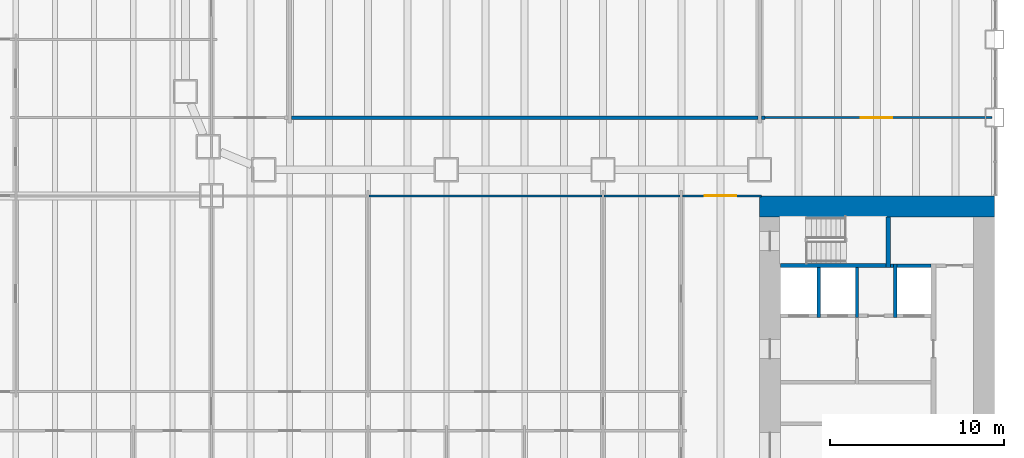
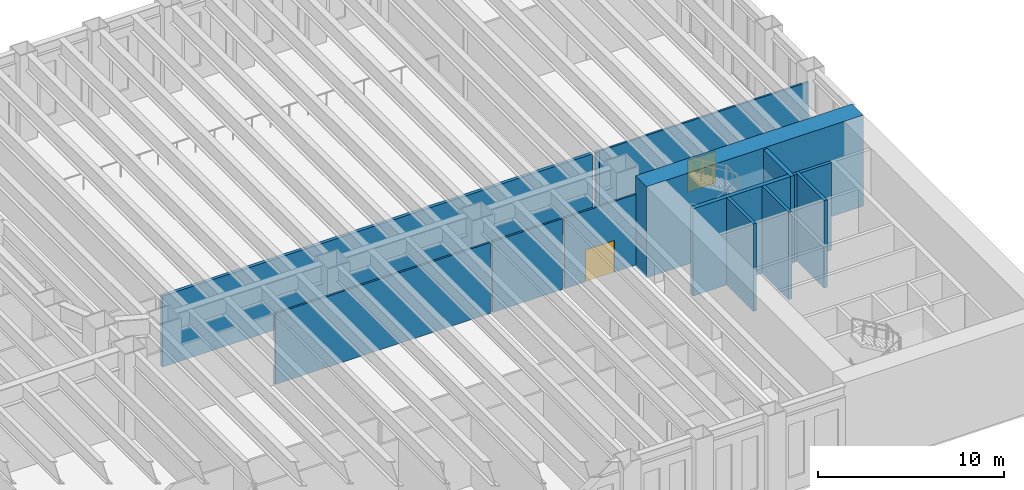
# One storey, part 10 of 19: 14 walls, 2 doors, 2 openings.
"""IFC4 building model written with IfcOpenShell, lengths in metres."""

from ifc_helpers import new_model, si_unit, direction, frame, frame_2d, origin, place, context, subcontext, project, spatial, rectangle, extrude, material, layer, layer_set, type_object, element, fill, save


model = new_model("IFC4")

# Units and contexts
model_context = context("Model", 3, precision=1e-05, world=origin(), true_north=direction((0.0, 1.0)))
body_context = subcontext(model_context, "Body", "Model", "MODEL_VIEW")
ifc_project = project(units=[si_unit("LENGTHUNIT", "METRE"), si_unit("AREAUNIT", "SQUARE_METRE"), si_unit("VOLUMEUNIT", "CUBIC_METRE"), si_unit("PLANEANGLEUNIT", "RADIAN"), si_unit("MASSUNIT", "GRAM", prefix="KILO")], contexts=[model_context])

# Site, building, storey
site_placement = place(None, origin())
site = spatial("IfcSite", under=ifc_project, at=site_placement, CompositionType="ELEMENT")
building_placement = place(site_placement, origin())
building = spatial("IfcBuilding", under=site, at=building_placement, Name="Sennacour Bend Tower", CompositionType="ELEMENT")
storey_placement = place(building_placement, frame((0.0, 0.0, 8.0)))
storey = spatial("IfcBuildingStorey", under=building, at=storey_placement, Name="L01", CompositionType="ELEMENT", Elevation=8.0)

# Walls
ifc_material_1 = material(Name="Concrete C80/95", Category="concrete")
ifc_layer_1 = layer(ifc_material_1, 1.199951171875, Name="Concrete C80/95", Category="concrete")
ifc_layer_set_1 = layer_set([ifc_layer_1], Name="Concrete C80/95")
wall_type_1 = type_object("IfcWallType", Name="Core wall 1200 C80/95", PredefinedType="SHEAR", material=ifc_layer_set_1)
wall_1_placement = place(storey_placement, frame((54.0, 21.89990234375, -0.14990234375), z_axis=(0.0, 0.0, 1.0), x_axis=(1.0, 0.0, 0.0)))
element("IfcWall", 1, at=wall_1_placement, inside=storey, type_object=wall_type_1, Name="Core A wall L01 N", PredefinedType="SHEAR", context=body_context, shape_type="SweptSolid", body=[
    extrude(rectangle(XDim=13.5, YDim=1.199951171875, at=frame_2d((6.75, 0.0))), origin(), (0.0, 0.0, 1.0), 6.0),
])
ifc_material_2 = material(Name="Plasterboard partition on steel studs", Category="steel")
ifc_layer_2 = layer(ifc_material_2, 0.1201171875, Name="Plasterboard partition on steel studs", Category="steel")
ifc_layer_set_2 = layer_set([ifc_layer_2], Name="Plasterboard partition on steel studs")
wall_type_2 = type_object("IfcWallType", Name="Partition 120", PredefinedType="PARTITIONING", material=ifc_layer_set_2)
wall_2_placement = place(storey_placement, frame((31.56005859375, 22.5, 0.0), z_axis=(0.0, 0.0, 1.0), x_axis=(1.0, 0.0, 0.0)))
element("IfcWall", 2, at=wall_2_placement, inside=storey, type_object=wall_type_2, Name="P-L01-W062ae", PredefinedType="PARTITIONING", context=body_context, shape_type="SweptSolid", body=[
    extrude(rectangle(XDim=13.3798828125, YDim=0.1201171875, at=frame_2d((6.68994140625, 0.0))), origin(), (0.0, 0.0, 1.0), 4.66015625),
])
wall_3_placement = place(storey_placement, frame((45.06005859375, 22.5, 0.0), z_axis=(0.0, 0.0, 1.0), x_axis=(1.0, 0.0, 0.0)))
element("IfcWall", 3, at=wall_3_placement, inside=storey, type_object=wall_type_2, Name="P-L01-W062af", PredefinedType="PARTITIONING", context=body_context, shape_type="SweptSolid", body=[
    extrude(rectangle(XDim=4.3798828125, YDim=0.1201171875, at=frame_2d((2.18994140625, 0.0))), origin(), (0.0, 0.0, 1.0), 4.66015625),
])

# Wall, opening, door
ifc_layer_3 = layer(ifc_material_2, 0.1201171875, Name="Plasterboard partition on steel studs", Category="steel")
ifc_layer_set_3 = layer_set([ifc_layer_3], Name="Plasterboard partition on steel studs")
wall_type_3 = type_object("IfcWallType", Name="Partition 120 EI 30", PredefinedType="PARTITIONING", material=ifc_layer_set_3)
wall_4_placement = place(storey_placement, frame((49.56005859375, 22.5, 0.0), z_axis=(0.0, 0.0, 1.0), x_axis=(1.0, 0.0, 0.0)))
wall_4 = element("IfcWall", 4, at=wall_4_placement, inside=storey, type_object=wall_type_3, Name="P-L01-W062ag", PredefinedType="PARTITIONING", context=body_context, shape_type="SweptSolid", body=[
    extrude(rectangle(XDim=4.5400390625, YDim=0.1201171875, at=frame_2d((2.27001953125, 0.0))), origin(), (0.0, 0.0, 1.0), 4.66015625),
])
opening_1_placement = place(wall_4_placement, frame((1.289794921875, 0.0, 0.0)))
opening_1 = element("IfcOpeningElement", 5, at=opening_1_placement, cuts=wall_4, Name="Opening KD3", PredefinedType="OPENING", context=body_context, shape_type="SweptSolid", body=[
    extrude(rectangle(XDim=1.800048828125, YDim=2.10009765625, at=frame_2d((0.89990234375, 1.050048828125))), frame((0.0, 0.070068359375, 0.0), z_axis=(0.0, -1.0, 0.0), x_axis=(1.0, 0.0, 0.0)), (0.0, 0.0, 1.0), 0.14013671875),
])
ifc_material_3 = material(Name="Painted steel", Category="steel")
door_type_1 = type_object("IfcDoorType", Name="DR-CORRIDOR-1800", OperationType="NOTDEFINED", PredefinedType="DOOR", material=ifc_material_3)
door_1_placement = place(opening_1_placement, origin())
door_1 = element("IfcDoor", 6, at=door_1_placement, inside=storey, type_object=door_type_1, Name="Door", OperationType="DOUBLE_DOOR_SINGLE_SWING", OverallHeight=2.10009765625, OverallWidth=1.800048828125, PredefinedType="DOOR", context=body_context, shape_type="SweptSolid", body=[
    extrude(rectangle(XDim=1.800048828125, YDim=2.10009765625, at=frame_2d((0.89990234375, 1.050048828125))), frame((0.0, 0.02490234375, 0.0), z_axis=(0.0, -1.0, 0.0), x_axis=(1.0, 0.0, 0.0)), (0.0, 0.0, 1.0), 0.050048828125),
])
fill(opening_1, door_1)

ifc_layer_4 = layer(ifc_material_2, 0.1201171875, Name="Plasterboard partition on steel studs", Category="steel")
ifc_layer_set_4 = layer_set([ifc_layer_4], Name="Plasterboard partition on steel studs")
wall_type_4 = type_object("IfcWallType", Name="Partition 120 EI 60", PredefinedType="PARTITIONING", material=ifc_layer_set_4)
wall_5_placement = place(storey_placement, frame((54.300048828125, 27.0, 0.0), z_axis=(0.0, 0.0, 1.0), x_axis=(1.0, 0.0, 0.0)))
wall_5 = element("IfcWall", 7, at=wall_5_placement, inside=storey, type_object=wall_type_4, Name="P-L01-W066a", PredefinedType="PARTITIONING", context=body_context, shape_type="SweptSolid", body=[
    extrude(rectangle(XDim=13.050048828125, YDim=0.1201171875, at=frame_2d((6.52490234375, 0.0))), origin(), (0.0, 0.0, 1.0), 4.66015625),
])
opening_2_placement = place(wall_5_placement, frame((5.514892578125, 0.0, 0.0)))
opening_2 = element("IfcOpeningElement", 8, at=opening_2_placement, cuts=wall_5, Name="Opening CD", PredefinedType="OPENING", context=body_context, shape_type="SweptSolid", body=[
    extrude(rectangle(XDim=1.800048828125, YDim=2.10009765625, at=frame_2d((0.89990234375, 1.050048828125))), frame((0.0, 0.070068359375, 0.0), z_axis=(0.0, -1.0, 0.0), x_axis=(1.0, 0.0, 0.0)), (0.0, 0.0, 1.0), 0.14013671875),
])
door_type_2 = type_object("IfcDoorType", Name="DR-LOBBY-1800", OperationType="NOTDEFINED", PredefinedType="DOOR", material=ifc_material_3)
door_2_placement = place(opening_2_placement, origin())
door_2 = element("IfcDoor", 9, at=door_2_placement, inside=storey, type_object=door_type_2, Name="Door", OperationType="DOUBLE_DOOR_SINGLE_SWING", OverallHeight=2.10009765625, OverallWidth=1.800048828125, PredefinedType="DOOR", context=body_context, shape_type="SweptSolid", body=[
    extrude(rectangle(XDim=1.800048828125, YDim=2.10009765625, at=frame_2d((0.89990234375, 1.050048828125))), frame((0.0, 0.02490234375, 0.0), z_axis=(0.0, -1.0, 0.0), x_axis=(1.0, 0.0, 0.0)), (0.0, 0.0, 1.0), 0.050048828125),
])
fill(opening_2, door_2)

# Walls
ifc_material_4 = material(Name="Fire-rated plasterboard partition on steel studs", Category="steel")
ifc_layer_5 = layer(ifc_material_4, 0.199951171875, Name="Fire-rated plasterboard partition on steel studs", Category="steel")
ifc_layer_set_5 = layer_set([ifc_layer_5], Name="Fire-rated plasterboard partition on steel studs")
wall_type_5 = type_object("IfcWallType", Name="Rated partition 200", PredefinedType="PARTITIONING", material=ifc_layer_set_5)
wall_6_placement = place(storey_placement, frame((61.52490234375, 18.5, 0.0), z_axis=(0.0, 0.0, 1.0), x_axis=(1.0, 0.0, 0.0)))
element("IfcWall", 10, at=wall_6_placement, inside=storey, type_object=wall_type_5, Name="P-L01-W059", PredefinedType="PARTITIONING", context=body_context, shape_type="SweptSolid", body=[
    extrude(rectangle(XDim=0.175048828125, YDim=0.199951171875, at=frame_2d((0.08740234375, 0.0))), origin(), (0.0, 0.0, 1.0), 5.75),
])
wall_7_placement = place(storey_placement, frame((27.10009765625, 27.0, 0.0), z_axis=(0.0, 0.0, 1.0), x_axis=(1.0, 0.0, 0.0)))
element("IfcWall", 11, at=wall_7_placement, inside=storey, type_object=wall_type_5, Name="P-L01-W065ab", PredefinedType="PARTITIONING", context=body_context, shape_type="SweptSolid", body=[
    extrude(rectangle(XDim=26.7998046875, YDim=0.199951171875, at=frame_2d((13.39990234375, 0.0))), origin(), (0.0, 0.0, 1.0), 4.66015625),
])
wall_8_placement = place(storey_placement, frame((54.10009765625, 27.0, 0.0), z_axis=(0.0, 0.0, 1.0), x_axis=(1.0, 0.0, 0.0)))
element("IfcWall", 12, at=wall_8_placement, inside=storey, type_object=wall_type_5, Name="P-L01-W065ac", PredefinedType="PARTITIONING", context=body_context, shape_type="SweptSolid", body=[
    extrude(rectangle(XDim=0.199951171875, YDim=0.199951171875, at=frame_2d((0.10009765625, 0.0))), origin(), (0.0, 0.0, 1.0), 4.66015625),
])
ifc_material_5 = material(Name="Concrete C50/60", Category="concrete")
ifc_layer_6 = layer(ifc_material_5, 0.199951171875, Name="Concrete C50/60", Category="concrete")
ifc_layer_set_6 = layer_set([ifc_layer_6], Name="Concrete C50/60")
wall_type_6 = type_object("IfcWallType", Name="Shaft wall 200", PredefinedType="SOLIDWALL", material=ifc_layer_set_6)
for number, where, z_axis, x_axis, name in (
    (13, (57.39990234375, 15.5, 0.0), (0.0, 0.0, 1.0), (0.0, 1.0, 0.0), "P-L01-W031"),
    (14, (59.60009765625, 15.5, 0.0), (0.0, 0.0, 1.0), (0.0, 1.0, 0.0), "P-L01-W034"),
):
    element("IfcWall", number, at=place(storey_placement, frame(where, z_axis=z_axis, x_axis=x_axis)), inside=storey, type_object=wall_type_6, Name=name, PredefinedType="SOLIDWALL", context=body_context, shape_type="SweptSolid", body=[
        extrude(rectangle(XDim=2.875, YDim=0.199951171875, at=frame_2d((1.4375, 0.0))), origin(), (0.0, 0.0, 1.0), 5.75),
    ])
wall_9_placement = place(storey_placement, frame((61.800048828125, 15.5, 0.0), z_axis=(0.0, 0.0, 1.0), x_axis=(0.0, 1.0, 0.0)))
element("IfcWall", 15, at=wall_9_placement, inside=storey, type_object=wall_type_6, Name="P-L01-W038", PredefinedType="SOLIDWALL", context=body_context, shape_type="SweptSolid", body=[
    extrude(rectangle(XDim=3.10009765625, YDim=0.199951171875, at=frame_2d((1.550048828125, 0.0))), origin(), (0.0, 0.0, 1.0), 5.75),
])
wall_10_placement = place(storey_placement, frame((61.89990234375, 18.5, 0.0), z_axis=(0.0, 0.0, 1.0), x_axis=(1.0, 0.0, 0.0)))
element("IfcWall", 16, at=wall_10_placement, inside=storey, type_object=wall_type_6, Name="P-L01-W060", PredefinedType="SOLIDWALL", context=body_context, shape_type="SweptSolid", body=[
    extrude(rectangle(XDim=1.9501953125, YDim=0.199951171875, at=frame_2d((0.97509765625, 0.0))), origin(), (0.0, 0.0, 1.0), 5.75),
])
ifc_material_6 = material(Name="Concrete C60/75", Category="concrete")
ifc_layer_7 = layer(ifc_material_6, 0.25, Name="Concrete C60/75", Category="concrete")
ifc_layer_set_7 = layer_set([ifc_layer_7], Name="Concrete C60/75")
wall_type_7 = type_object("IfcWallType", Name="Stair wall 250", PredefinedType="SHEAR", material=ifc_layer_set_7)
wall_11_placement = place(storey_placement, frame((61.39990234375, 18.375, 0.0), z_axis=(0.0, 0.0, 1.0), x_axis=(0.0, 1.0, 0.0)))
element("IfcWall", 17, at=wall_11_placement, inside=storey, type_object=wall_type_7, Name="P-L01-W036", PredefinedType="SHEAR", context=body_context, shape_type="SweptSolid", body=[
    extrude(rectangle(XDim=2.925048828125, YDim=0.25, at=frame_2d((1.46240234375, 0.0))), origin(), (0.0, 0.0, 1.0), 5.75),
])
wall_12_placement = place(storey_placement, frame((55.199951171875, 18.5, 0.0), z_axis=(0.0, 0.0, 1.0), x_axis=(1.0, 0.0, 0.0)))
element("IfcWall", 18, at=wall_12_placement, inside=storey, type_object=wall_type_7, Name="P-L01-W058", PredefinedType="SHEAR", context=body_context, shape_type="SweptSolid", body=[
    extrude(rectangle(XDim=6.074951171875, YDim=0.25, at=frame_2d((3.03759765625, 0.0))), origin(), (0.0, 0.0, 1.0), 5.75),
])

save(model, "model.ifc")
